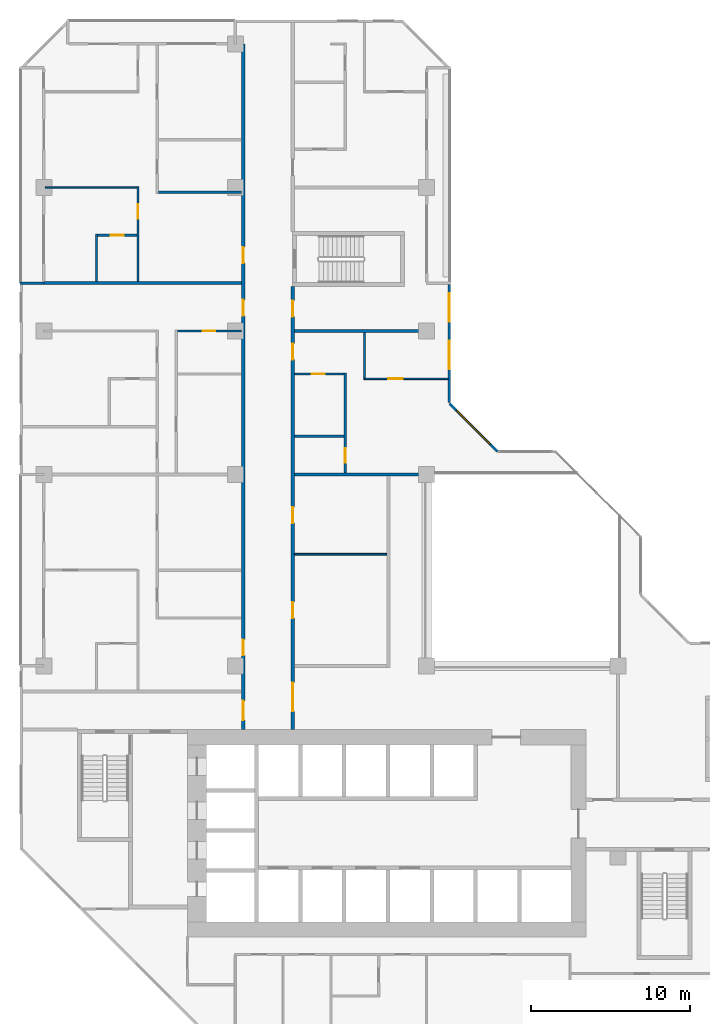
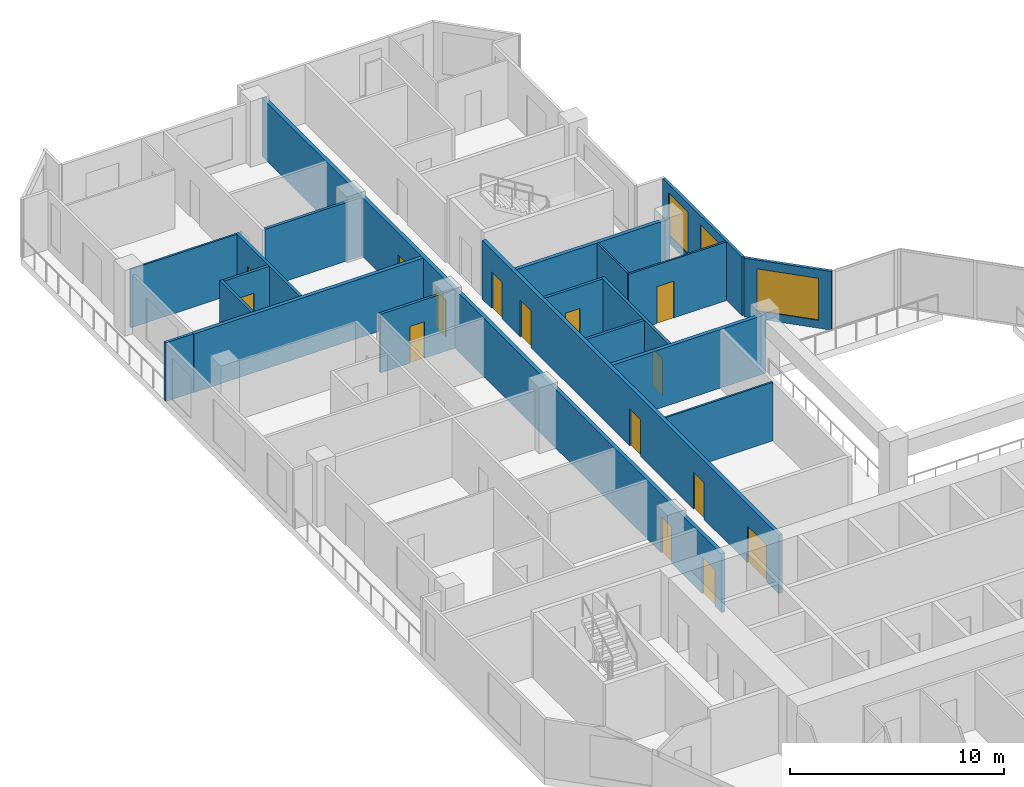
# One storey, part 9 of 14: 20 walls, 15 doors, 3 windows, 18 openings.
"""IFC4 building model written with IfcOpenShell, lengths in metres."""

from ifc_helpers import new_model, si_unit, direction, frame, frame_2d, origin, place, context, subcontext, project, spatial, rectangle, extrude, material, layer, layer_set, type_object, element, fill, save


model = new_model("IFC4")

# Units and contexts
model_context = context("Model", 3, precision=1e-05, world=origin(), true_north=direction((0.0, 1.0)))
body_context = subcontext(model_context, "Body", "Model", "MODEL_VIEW")
ifc_project = project(units=[si_unit("LENGTHUNIT", "METRE"), si_unit("AREAUNIT", "SQUARE_METRE"), si_unit("VOLUMEUNIT", "CUBIC_METRE"), si_unit("PLANEANGLEUNIT", "RADIAN"), si_unit("MASSUNIT", "GRAM", prefix="KILO")], contexts=[model_context])

# Site, building, storey
site_placement = place(None, origin())
site = spatial("IfcSite", under=ifc_project, at=site_placement, CompositionType="ELEMENT")
building_placement = place(site_placement, origin())
building = spatial("IfcBuilding", under=site, at=building_placement, Name="Chenar Terraces", CompositionType="ELEMENT")
storey_placement = place(building_placement, frame((0.0, 0.0, 110.64990234375)))
storey = spatial("IfcBuildingStorey", under=building, at=storey_placement, Name="L25", CompositionType="ELEMENT", Elevation=110.64990234375)

# Wall, openings, doors
ifc_material_1 = material(Name="Gypsum board on steel studs with fire boards", Category="steel")
ifc_layer_1 = layer(ifc_material_1, 0.199951171875)
ifc_layer_set_1 = layer_set([ifc_layer_1], Name="Gypsum board on steel studs with fire boards")
wall_type_1 = type_object("IfcWallType", Name="Corridor wall 200", PredefinedType="PARTITIONING", material=ifc_layer_set_1)
wall_1_placement = place(storey_placement, frame((12.5, 20.0, 0.0), z_axis=(0.0, 0.0, 1.0), x_axis=(0.0, 1.0, 0.0)))
wall_1 = element("IfcWall", 1, at=wall_1_placement, inside=storey, type_object=wall_type_1, Name="Partition L25-034", PredefinedType="PARTITIONING", context=body_context, shape_type="SweptSolid", body=[
    extrude(rectangle(XDim=43.0, YDim=0.199951171875, at=frame_2d((21.5, 0.0))), origin(), (0.0, 0.0, 1.0), 3.35009765625),
])
opening_1_placement = place(wall_1_placement, frame((25.949951171875, 0.0, 0.0)))
opening_1 = element("IfcOpeningElement", 2, at=opening_1_placement, cuts=wall_1, Name="Opening DL25-39", PredefinedType="OPENING", context=body_context, shape_type="SweptSolid", body=[
    extrude(rectangle(XDim=1.0, YDim=2.10009765625, at=frame_2d((0.5, 1.050048828125))), frame((0.0, 0.10986328125, 0.0), z_axis=(0.0, -1.0, 0.0), x_axis=(1.0, 0.0, 0.0)), (0.0, 0.0, 1.0), 0.219970703125),
])
opening_2_placement = place(wall_1_placement, frame((29.25, 0.0, 0.0)))
opening_2 = element("IfcOpeningElement", 3, at=opening_2_placement, cuts=wall_1, Name="Opening DL25-45", PredefinedType="OPENING", context=body_context, shape_type="SweptSolid", body=[
    extrude(rectangle(XDim=1.0, YDim=2.10009765625, at=frame_2d((0.5, 1.050048828125))), frame((0.0, 0.10986328125, 0.0), z_axis=(0.0, -1.0, 0.0), x_axis=(1.0, 0.0, 0.0)), (0.0, 0.0, 1.0), 0.219970703125),
])
opening_3_placement = place(wall_1_placement, frame((0.60009765625, 0.0, 0.0)))
opening_3 = element("IfcOpeningElement", 4, at=opening_3_placement, cuts=wall_1, Name="Opening DL25-48", PredefinedType="OPENING", context=body_context, shape_type="SweptSolid", body=[
    extrude(rectangle(XDim=1.199951171875, YDim=2.10009765625, at=frame_2d((0.60009765625, 1.050048828125))), frame((0.0, 0.10986328125, 0.0), z_axis=(0.0, -1.0, 0.0), x_axis=(1.0, 0.0, 0.0)), (0.0, 0.0, 1.0), 0.219970703125),
])
opening_4_placement = place(wall_1_placement, frame((4.64990234375, 0.0, 0.0)))
opening_4 = element("IfcOpeningElement", 5, at=opening_4_placement, cuts=wall_1, Name="Opening DL25-68", PredefinedType="OPENING", context=body_context, shape_type="SweptSolid", body=[
    extrude(rectangle(XDim=1.0, YDim=2.10009765625, at=frame_2d((0.5, 1.050048828125))), frame((0.0, 0.10986328125, 0.0), z_axis=(0.0, -1.0, 0.0), x_axis=(1.0, 0.0, 0.0)), (0.0, 0.0, 1.0), 0.219970703125),
])
ifc_material_2 = material(Name="Steel-framed fire-resisting door leaf", Category="steel")
door_type_1 = type_object("IfcDoorType", Name="Fire door FD30S 1000 x 2100", OperationType="SINGLE_SWING_LEFT", PredefinedType="DOOR", material=ifc_material_2)
door_1_placement = place(opening_1_placement, origin())
door_1 = element("IfcDoor", 6, at=door_1_placement, inside=storey, type_object=door_type_1, Name="Door DL25-39", OperationType="SINGLE_SWING_LEFT", OverallHeight=2.10009765625, OverallWidth=1.0, PredefinedType="DOOR", context=body_context, shape_type="SweptSolid", body=[
    extrude(rectangle(XDim=1.0, YDim=2.10009765625, at=frame_2d((0.5, 1.050048828125))), frame((0.0, 0.02490234375, 0.0), z_axis=(0.0, -1.0, 0.0), x_axis=(1.0, 0.0, 0.0)), (0.0, 0.0, 1.0), 0.050048828125),
])
fill(opening_1, door_1)
door_2_placement = place(opening_2_placement, origin())
door_2 = element("IfcDoor", 7, at=door_2_placement, inside=storey, type_object=door_type_1, Name="Door DL25-45", OperationType="SINGLE_SWING_LEFT", OverallHeight=2.10009765625, OverallWidth=1.0, PredefinedType="DOOR", context=body_context, shape_type="SweptSolid", body=[
    extrude(rectangle(XDim=1.0, YDim=2.10009765625, at=frame_2d((0.5, 1.050048828125))), frame((0.0, 0.02490234375, 0.0), z_axis=(0.0, -1.0, 0.0), x_axis=(1.0, 0.0, 0.0)), (0.0, 0.0, 1.0), 0.050048828125),
])
fill(opening_2, door_2)
door_3_placement = place(opening_4_placement, origin())
door_3 = element("IfcDoor", 8, at=door_3_placement, inside=storey, type_object=door_type_1, Name="Door DL25-68", OperationType="SINGLE_SWING_LEFT", OverallHeight=2.10009765625, OverallWidth=1.0, PredefinedType="DOOR", context=body_context, shape_type="SweptSolid", body=[
    extrude(rectangle(XDim=1.0, YDim=2.10009765625, at=frame_2d((0.5, 1.050048828125))), frame((0.0, 0.02490234375, 0.0), z_axis=(0.0, -1.0, 0.0), x_axis=(1.0, 0.0, 0.0)), (0.0, 0.0, 1.0), 0.050048828125),
])
fill(opening_4, door_3)
ifc_material_3 = material(Name="Steel-framed fire-resisting door leaf", Category="steel")
door_type_2 = type_object("IfcDoorType", Name="Fire door FD30S 1200 x 2100", OperationType="SINGLE_SWING_LEFT", PredefinedType="DOOR", material=ifc_material_3)
door_4_placement = place(opening_3_placement, origin())
door_4 = element("IfcDoor", 9, at=door_4_placement, inside=storey, type_object=door_type_2, Name="Door DL25-48", OperationType="SINGLE_SWING_RIGHT", OverallHeight=2.10009765625, OverallWidth=1.199951171875, PredefinedType="DOOR", context=body_context, shape_type="SweptSolid", body=[
    extrude(rectangle(XDim=1.199951171875, YDim=2.10009765625, at=frame_2d((0.60009765625, 1.050048828125))), frame((0.0, 0.02490234375, 0.0), z_axis=(0.0, -1.0, 0.0), x_axis=(1.0, 0.0, 0.0)), (0.0, 0.0, 1.0), 0.050048828125),
])
fill(opening_3, door_4)

wall_2_placement = place(storey_placement, frame((15.60009765625, 20.0, 0.0), z_axis=(0.0, 0.0, 1.0), x_axis=(0.0, 1.0, 0.0)))
wall_2 = element("IfcWall", 10, at=wall_2_placement, inside=storey, type_object=wall_type_1, Name="Partition L25-036", PredefinedType="PARTITIONING", context=body_context, shape_type="SweptSolid", body=[
    extrude(rectangle(XDim=27.77490234375, YDim=0.199951171875, at=frame_2d((13.887451171875, 0.0))), origin(), (0.0, 0.0, 1.0), 3.35009765625),
])
opening_5_placement = place(wall_2_placement, frame((7.0, 0.0, 0.0)))
opening_5 = element("IfcOpeningElement", 11, at=opening_5_placement, cuts=wall_2, Name="Opening DL25-1", PredefinedType="OPENING", context=body_context, shape_type="SweptSolid", body=[
    extrude(rectangle(XDim=1.0, YDim=2.10009765625, at=frame_2d((0.5, 1.050048828125))), frame((0.0, 0.10986328125, 0.0), z_axis=(0.0, -1.0, 0.0), x_axis=(1.0, 0.0, 0.0)), (0.0, 0.0, 1.0), 0.219970703125),
])
opening_6_placement = place(wall_2_placement, frame((12.949951171875, 0.0, 0.0)))
opening_6 = element("IfcOpeningElement", 12, at=opening_6_placement, cuts=wall_2, Name="Opening DL25-2", PredefinedType="OPENING", context=body_context, shape_type="SweptSolid", body=[
    extrude(rectangle(XDim=1.0, YDim=2.10009765625, at=frame_2d((0.5, 1.050048828125))), frame((0.0, 0.10986328125, 0.0), z_axis=(0.0, -1.0, 0.0), x_axis=(1.0, 0.0, 0.0)), (0.0, 0.0, 1.0), 0.219970703125),
])
opening_7_placement = place(wall_2_placement, frame((23.199951171875, 0.0, 0.0)))
opening_7 = element("IfcOpeningElement", 13, at=opening_7_placement, cuts=wall_2, Name="Opening DL25-29", PredefinedType="OPENING", context=body_context, shape_type="SweptSolid", body=[
    extrude(rectangle(XDim=1.0, YDim=2.10009765625, at=frame_2d((0.5, 1.050048828125))), frame((0.0, 0.10986328125, 0.0), z_axis=(0.0, -1.0, 0.0), x_axis=(1.0, 0.0, 0.0)), (0.0, 0.0, 1.0), 0.219970703125),
])
opening_8_placement = place(wall_2_placement, frame((1.14990234375, 0.0, 0.0)))
opening_8 = element("IfcOpeningElement", 14, at=opening_8_placement, cuts=wall_2, Name="Opening DL25-47", PredefinedType="OPENING", context=body_context, shape_type="SweptSolid", body=[
    extrude(rectangle(XDim=1.800048828125, YDim=2.10009765625, at=frame_2d((0.89990234375, 1.050048828125))), frame((0.0, 0.10986328125, 0.0), z_axis=(0.0, -1.0, 0.0), x_axis=(1.0, 0.0, 0.0)), (0.0, 0.0, 1.0), 0.219970703125),
])
opening_9_placement = place(wall_2_placement, frame((25.89990234375, 0.0, 0.0)))
opening_9 = element("IfcOpeningElement", 15, at=opening_9_placement, cuts=wall_2, Name="Opening DL25-50", PredefinedType="OPENING", context=body_context, shape_type="SweptSolid", body=[
    extrude(rectangle(XDim=1.0, YDim=2.10009765625, at=frame_2d((0.5, 1.050048828125))), frame((0.0, 0.10986328125, 0.0), z_axis=(0.0, -1.0, 0.0), x_axis=(1.0, 0.0, 0.0)), (0.0, 0.0, 1.0), 0.219970703125),
])
ifc_material_4 = material(Name="Steel-framed fire-resisting door leaf", Category="steel")
door_type_3 = type_object("IfcDoorType", Name="Fire door FD60 1000 x 2100", OperationType="SINGLE_SWING_LEFT", PredefinedType="DOOR", material=ifc_material_4)
door_5_placement = place(opening_5_placement, frame((1.0, 0.0, 0.0), z_axis=(0.0, 0.0, 1.0), x_axis=(-1.0, 0.0, 0.0)))
door_5 = element("IfcDoor", 16, at=door_5_placement, inside=storey, type_object=door_type_3, Name="Door DL25-1", OperationType="SINGLE_SWING_LEFT", OverallHeight=2.10009765625, OverallWidth=1.0, PredefinedType="DOOR", context=body_context, shape_type="SweptSolid", body=[
    extrude(rectangle(XDim=1.0, YDim=2.10009765625, at=frame_2d((0.5, 1.050048828125))), frame((0.0, 0.02490234375, 0.0), z_axis=(0.0, -1.0, 0.0), x_axis=(1.0, 0.0, 0.0)), (0.0, 0.0, 1.0), 0.050048828125),
])
fill(opening_5, door_5)
door_6_placement = place(opening_6_placement, frame((1.0, 0.0, 0.0), z_axis=(0.0, 0.0, 1.0), x_axis=(-1.0, 0.0, 0.0)))
door_6 = element("IfcDoor", 17, at=door_6_placement, inside=storey, type_object=door_type_3, Name="Door DL25-2", OperationType="SINGLE_SWING_LEFT", OverallHeight=2.10009765625, OverallWidth=1.0, PredefinedType="DOOR", context=body_context, shape_type="SweptSolid", body=[
    extrude(rectangle(XDim=1.0, YDim=2.10009765625, at=frame_2d((0.5, 1.050048828125))), frame((0.0, 0.02490234375, 0.0), z_axis=(0.0, -1.0, 0.0), x_axis=(1.0, 0.0, 0.0)), (0.0, 0.0, 1.0), 0.050048828125),
])
fill(opening_6, door_6)
door_7_placement = place(opening_7_placement, frame((1.0, 0.0, 0.0), z_axis=(0.0, 0.0, 1.0), x_axis=(-1.0, 0.0, 0.0)))
door_7 = element("IfcDoor", 18, at=door_7_placement, inside=storey, type_object=door_type_3, Name="Door DL25-29", OperationType="SINGLE_SWING_LEFT", OverallHeight=2.10009765625, OverallWidth=1.0, PredefinedType="DOOR", context=body_context, shape_type="SweptSolid", body=[
    extrude(rectangle(XDim=1.0, YDim=2.10009765625, at=frame_2d((0.5, 1.050048828125))), frame((0.0, 0.02490234375, 0.0), z_axis=(0.0, -1.0, 0.0), x_axis=(1.0, 0.0, 0.0)), (0.0, 0.0, 1.0), 0.050048828125),
])
fill(opening_7, door_7)
door_8_placement = place(opening_9_placement, frame((1.0, 0.0, 0.0), z_axis=(0.0, 0.0, 1.0), x_axis=(-1.0, 0.0, 0.0)))
door_8 = element("IfcDoor", 19, at=door_8_placement, inside=storey, type_object=door_type_3, Name="Door DL25-50", OperationType="SINGLE_SWING_RIGHT", OverallHeight=2.10009765625, OverallWidth=1.0, PredefinedType="DOOR", context=body_context, shape_type="SweptSolid", body=[
    extrude(rectangle(XDim=1.0, YDim=2.10009765625, at=frame_2d((0.5, 1.050048828125))), frame((0.0, 0.02490234375, 0.0), z_axis=(0.0, -1.0, 0.0), x_axis=(1.0, 0.0, 0.0)), (0.0, 0.0, 1.0), 0.050048828125),
])
fill(opening_9, door_8)
ifc_material_5 = material(Name="Steel-framed fire-resisting door leaf", Category="steel")
door_type_4 = type_object("IfcDoorType", Name="Fire double door FD60 1800 x 2100", OperationType="DOUBLE_DOOR_SINGLE_SWING", PredefinedType="DOOR", material=ifc_material_5)
door_9_placement = place(opening_8_placement, frame((1.800048828125, 0.0, 0.0), z_axis=(0.0, 0.0, 1.0), x_axis=(-1.0, 0.0, 0.0)))
door_9 = element("IfcDoor", 20, at=door_9_placement, inside=storey, type_object=door_type_4, Name="Door DL25-47", OperationType="DOUBLE_DOOR_SINGLE_SWING", OverallHeight=2.10009765625, OverallWidth=1.800048828125, PredefinedType="DOOR", context=body_context, shape_type="SweptSolid", body=[
    extrude(rectangle(XDim=1.800048828125, YDim=2.10009765625, at=frame_2d((0.89990234375, 1.050048828125))), frame((0.0, 0.02490234375, 0.0), z_axis=(0.0, -1.0, 0.0), x_axis=(1.0, 0.0, 0.0)), (0.0, 0.0, 1.0), 0.050048828125),
])
fill(opening_8, door_9)

# Wall, openings, windows
ifc_material_6 = material(Name="Aluminium framed glazing", Category="aluminium")
ifc_layer_2 = layer(ifc_material_6, 0.14990234375)
ifc_layer_set_2 = layer_set([ifc_layer_2], Name="Aluminium framed glazing")
wall_type_2 = type_object("IfcWallType", Name="Glazed flush facade wall 150", PredefinedType="SOLIDWALL", material=ifc_layer_set_2)
wall_3_placement = place(storey_placement, frame((25.425048828125, 40.5, 0.0), z_axis=(0.0, 0.0, 1.0), x_axis=(0.0, 1.0, 0.0)))
wall_3 = element("IfcWall", 21, at=wall_3_placement, inside=storey, type_object=wall_type_2, Name="Glazed flush facade wall", PredefinedType="SOLIDWALL", context=body_context, shape_type="SweptSolid", body=[
    extrude(rectangle(XDim=7.425048828125, YDim=0.14990234375, at=frame_2d((3.71240234375, 0.0))), origin(), (0.0, 0.0, 1.0), 3.35009765625),
])
opening_10_placement = place(wall_3_placement, frame((2.10009765625, 0.0, 0.449951171875)))
opening_10 = element("IfcOpeningElement", 22, at=opening_10_placement, cuts=wall_3, Name="Opening W180x240", PredefinedType="OPENING", context=body_context, shape_type="SweptSolid", body=[
    extrude(rectangle(XDim=1.800048828125, YDim=2.39990234375, at=frame_2d((0.89990234375, 1.199951171875))), frame((0.0, 0.0849609375, 0.0), z_axis=(0.0, -1.0, 0.0), x_axis=(1.0, 0.0, 0.0)), (0.0, 0.0, 1.0), 0.169921875),
])
opening_11_placement = place(wall_3_placement, frame((5.0625, 0.0, 0.449951171875)))
opening_11 = element("IfcOpeningElement", 23, at=opening_11_placement, cuts=wall_3, Name="Opening W180x240", PredefinedType="OPENING", context=body_context, shape_type="SweptSolid", body=[
    extrude(rectangle(XDim=1.800048828125, YDim=2.39990234375, at=frame_2d((0.89990234375, 1.199951171875))), frame((0.0, 0.0849609375, 0.0), z_axis=(0.0, -1.0, 0.0), x_axis=(1.0, 0.0, 0.0)), (0.0, 0.0, 1.0), 0.169921875),
])
ifc_material_7 = material(Name="Low emissivity double glazing, aluminium frame", Category="aluminium")
window_type_1 = type_object("IfcWindowType", Name="Fixed light 1800 x 2400", PartitioningType="SINGLE_PANEL", PredefinedType="WINDOW", material=ifc_material_7)
window_1_placement = place(opening_10_placement, origin())
window_1 = element("IfcWindow", 24, at=window_1_placement, inside=storey, type_object=window_type_1, Name="Window", OverallHeight=2.39990234375, OverallWidth=1.800048828125, PartitioningType="SINGLE_PANEL", PredefinedType="WINDOW", context=body_context, shape_type="SweptSolid", body=[
    extrude(rectangle(XDim=1.800048828125, YDim=2.39990234375, at=frame_2d((0.89990234375, 1.199951171875))), frame((0.0, 0.030029296875, 0.0), z_axis=(0.0, -1.0, 0.0), x_axis=(1.0, 0.0, 0.0)), (0.0, 0.0, 1.0), 0.06005859375),
])
fill(opening_10, window_1)
window_2_placement = place(opening_11_placement, origin())
window_2 = element("IfcWindow", 25, at=window_2_placement, inside=storey, type_object=window_type_1, Name="Window", OverallHeight=2.39990234375, OverallWidth=1.800048828125, PartitioningType="SINGLE_PANEL", PredefinedType="WINDOW", context=body_context, shape_type="SweptSolid", body=[
    extrude(rectangle(XDim=1.800048828125, YDim=2.39990234375, at=frame_2d((0.89990234375, 1.199951171875))), frame((0.0, 0.030029296875, 0.0), z_axis=(0.0, -1.0, 0.0), x_axis=(1.0, 0.0, 0.0)), (0.0, 0.0, 1.0), 0.06005859375),
])
fill(opening_11, window_2)

# Walls
ifc_material_8 = material(Name="Gypsum board on steel studs", Category="steel")
ifc_layer_3 = layer(ifc_material_8, 0.10009765625)
ifc_layer_set_3 = layer_set([ifc_layer_3], Name="Gypsum board on steel studs")
wall_type_3 = type_object("IfcWallType", Name="Gypsum partition 100", PredefinedType="PARTITIONING", material=ifc_layer_set_3)
wall_4_placement = place(storey_placement, frame((0.073974609375, 54.0, 0.0), z_axis=(0.0, 0.0, 1.0), x_axis=(1.0, 0.0, 0.0)))
element("IfcWall", 26, at=wall_4_placement, inside=storey, type_object=wall_type_3, Name="Partition L25-008", PredefinedType="PARTITIONING", context=body_context, shape_type="SweptSolid", body=[
    extrude(rectangle(XDim=5.7509765625, YDim=0.10009765625, at=frame_2d((2.87548828125, 0.0))), origin(), (0.0, 0.0, 1.0), 3.35009765625),
])
wall_5_placement = place(storey_placement, frame((15.699951171875, 31.0, 0.0), z_axis=(0.0, 0.0, 1.0), x_axis=(1.0, 0.0, 0.0)))
element("IfcWall", 27, at=wall_5_placement, inside=storey, type_object=wall_type_3, Name="Partition L25-039", PredefinedType="PARTITIONING", context=body_context, shape_type="SweptSolid", body=[
    extrude(rectangle(XDim=5.800048828125, YDim=0.10009765625, at=frame_2d((2.89990234375, 0.0))), origin(), (0.0, 0.0, 1.0), 3.35009765625),
])

# Wall, opening, door
wall_6_placement = place(storey_placement, frame((20.050048828125, 42.0, 0.0), z_axis=(0.0, 0.0, 1.0), x_axis=(1.0, 0.0, 0.0)))
wall_6 = element("IfcWall", 28, at=wall_6_placement, inside=storey, type_object=wall_type_3, Name="Partition L25-052", PredefinedType="PARTITIONING", context=body_context, shape_type="SweptSolid", body=[
    extrude(rectangle(XDim=5.300048828125, YDim=0.10009765625, at=frame_2d((2.64990234375, 0.0))), origin(), (0.0, 0.0, 1.0), 3.35009765625),
])
opening_12_placement = place(wall_6_placement, frame((1.550048828125, 0.0, 0.0)))
opening_12 = element("IfcOpeningElement", 29, at=opening_12_placement, cuts=wall_6, Name="Opening DL25-27", PredefinedType="OPENING", context=body_context, shape_type="SweptSolid", body=[
    extrude(rectangle(XDim=0.89990234375, YDim=2.10009765625, at=frame_2d((0.449951171875, 1.050048828125))), frame((0.0, 0.06005859375, 0.0), z_axis=(0.0, -1.0, 0.0), x_axis=(1.0, 0.0, 0.0)), (0.0, 0.0, 1.0), 0.1201171875),
])
ifc_material_9 = material(Name="Veneered timber door leaf", Category="wood")
door_type_5 = type_object("IfcDoorType", Name="Door 900 x 2100", OperationType="SINGLE_SWING_LEFT", PredefinedType="DOOR", material=ifc_material_9)
door_10_placement = place(opening_12_placement, origin())
door_10 = element("IfcDoor", 30, at=door_10_placement, inside=storey, type_object=door_type_5, Name="Door DL25-27", OperationType="SINGLE_SWING_LEFT", OverallHeight=2.10009765625, OverallWidth=0.89990234375, PredefinedType="DOOR", context=body_context, shape_type="SweptSolid", body=[
    extrude(rectangle(XDim=0.89990234375, YDim=2.10009765625, at=frame_2d((0.449951171875, 1.050048828125))), frame((0.0, 0.02490234375, 0.0), z_axis=(0.0, -1.0, 0.0), x_axis=(1.0, 0.0, 0.0)), (0.0, 0.0, 1.0), 0.050048828125),
])
fill(opening_12, door_10)

# Walls
wall_7_placement = place(storey_placement, frame((20.10009765625, 42.050048828125, 0.0), z_axis=(0.0, 0.0, 1.0), x_axis=(0.0, 1.0, 0.0)))
element("IfcWall", 31, at=wall_7_placement, inside=storey, type_object=wall_type_3, Name="Partition L25-053", PredefinedType="PARTITIONING", context=body_context, shape_type="SweptSolid", body=[
    extrude(rectangle(XDim=2.849853515625, YDim=0.10009765625, at=frame_2d((1.4248046875, 0.0))), origin(), (0.0, 0.0, 1.0), 3.35009765625),
])
ifc_material_10 = material(Name="Terracotta cladding on insulated backing", Category="masonry")
ifc_layer_4 = layer(ifc_material_10, 0.14990234375)
ifc_layer_set_4 = layer_set([ifc_layer_4], Name="Terracotta cladding on insulated backing")
wall_type_4 = type_object("IfcWallType", Name="Loggia return wall 150", PredefinedType="SOLIDWALL", material=ifc_layer_set_4)
wall_8_placement = place(storey_placement, frame((-1.5, 48.0, 0.0), z_axis=(0.0, 0.0, 1.0), x_axis=(1.0, 0.0, 0.0)))
element("IfcWall", 32, at=wall_8_placement, inside=storey, type_object=wall_type_4, Name="Loggia return wall", PredefinedType="SOLIDWALL", context=body_context, shape_type="SweptSolid", body=[
    extrude(rectangle(XDim=1.5, YDim=0.14990234375, at=frame_2d((0.75, 0.0))), origin(), (0.0, 0.0, 1.0), 3.35009765625),
])

# Wall, opening, window
ifc_material_11 = material(Name="Terracotta cladding on insulated backing", Category="masonry")
ifc_layer_5 = layer(ifc_material_11, 0.14990234375)
ifc_layer_set_5 = layer_set([ifc_layer_5], Name="Terracotta cladding on insulated backing")
wall_type_5 = type_object("IfcWallType", Name="Terracotta rainscreen wall 150", PredefinedType="SOLIDWALL", material=ifc_layer_set_5)
wall_9_placement = place(storey_placement, frame((28.447021484375, 37.447021484375, 0.0), z_axis=(0.0, 0.0, 1.0), x_axis=(-0.707106781187, 0.707106781187, 0.0)))
wall_9 = element("IfcWall", 33, at=wall_9_placement, inside=storey, type_object=wall_type_5, Name="Terracotta rainscreen wall", PredefinedType="SOLIDWALL", context=body_context, shape_type="SweptSolid", body=[
    extrude(rectangle(XDim=4.24267578125, YDim=0.14990234375, at=frame_2d((2.121337890625, 0.0))), origin(), (0.0, 0.0, 1.0), 3.35009765625),
])
opening_13_placement = place(wall_9_placement, frame((0.621337890625, 0.0, 0.449951171875)))
opening_13 = element("IfcOpeningElement", 34, at=opening_13_placement, cuts=wall_9, Name="Opening W300x240", PredefinedType="OPENING", context=body_context, shape_type="SweptSolid", body=[
    extrude(rectangle(XDim=3.0, YDim=2.39990234375, at=frame_2d((1.5, 1.199951171875))), frame((0.0, 0.0849609375, 0.0), z_axis=(0.0, -1.0, 0.0), x_axis=(1.0, 0.0, 0.0)), (0.0, 0.0, 1.0), 0.169921875),
])
ifc_material_12 = material(Name="Low emissivity double glazing, aluminium frame", Category="aluminium")
window_type_2 = type_object("IfcWindowType", Name="Fixed light 3000 x 2400", PartitioningType="SINGLE_PANEL", PredefinedType="WINDOW", material=ifc_material_12)
window_3_placement = place(opening_13_placement, origin())
window_3 = element("IfcWindow", 35, at=window_3_placement, inside=storey, type_object=window_type_2, Name="Window", OverallHeight=2.39990234375, OverallWidth=3.0, PartitioningType="SINGLE_PANEL", PredefinedType="WINDOW", context=body_context, shape_type="SweptSolid", body=[
    extrude(rectangle(XDim=3.0, YDim=2.39990234375, at=frame_2d((1.5, 1.199951171875))), frame((0.0, 0.030029296875, 0.0), z_axis=(0.0, -1.0, 0.0), x_axis=(1.0, 0.0, 0.0)), (0.0, 0.0, 1.0), 0.06005859375),
])
fill(opening_13, window_3)

# Walls
ifc_material_13 = material(Name="Twin gypsum board on steel studs with mineral wool", Category="steel")
ifc_layer_6 = layer(ifc_material_13, 0.199951171875)
ifc_layer_set_6 = layer_set([ifc_layer_6], Name="Twin gypsum board on steel studs with mineral wool")
wall_type_6 = type_object("IfcWallType", Name="Unit demising wall 200", PredefinedType="PARTITIONING", material=ifc_layer_set_6)
wall_10_placement = place(storey_placement, frame((0.0, 48.0, 0.0), z_axis=(0.0, 0.0, 1.0), x_axis=(1.0, 0.0, 0.0)))
element("IfcWall", 36, at=wall_10_placement, inside=storey, type_object=wall_type_6, Name="Partition L25-006", PredefinedType="PARTITIONING", context=body_context, shape_type="SweptSolid", body=[
    extrude(rectangle(XDim=12.39990234375, YDim=0.199951171875, at=frame_2d((6.199951171875, 0.0))), origin(), (0.0, 0.0, 1.0), 3.35009765625),
])
for number, where, z_axis, x_axis, name in (
    (37, (15.699951171875, 36.0, 0.0), (0.0, 0.0, 1.0), (1.0, 0.0, 0.0), "Partition L25-040"),
    (38, (15.699951171875, 45.0, 0.0), (0.0, 0.0, 1.0), (1.0, 0.0, 0.0), "Partition L25-043"),
):
    element("IfcWall", number, at=place(storey_placement, frame(where, z_axis=z_axis, x_axis=x_axis)), inside=storey, type_object=wall_type_6, Name=name, PredefinedType="PARTITIONING", context=body_context, shape_type="SweptSolid", body=[
        extrude(rectangle(XDim=8.300048828125, YDim=0.199951171875, at=frame_2d((4.14990234375, 0.0))), origin(), (0.0, 0.0, 1.0), 3.35009765625),
    ])
ifc_material_14 = material(Name="Moisture-resistant gypsum board on steel studs", Category="steel")
ifc_layer_7 = layer(ifc_material_14, 0.14990234375)
ifc_layer_set_7 = layer_set([ifc_layer_7], Name="Moisture-resistant gypsum board on steel studs")
wall_type_7 = type_object("IfcWallType", Name="Wet-room partition 150", PredefinedType="PARTITIONING", material=ifc_layer_set_7)
wall_11_placement = place(storey_placement, frame((3.300048828125, 48.10009765625, 0.0), z_axis=(0.0, 0.0, 1.0), x_axis=(0.0, 1.0, 0.0)))
element("IfcWall", 39, at=wall_11_placement, inside=storey, type_object=wall_type_7, Name="Partition L25-012", PredefinedType="PARTITIONING", context=body_context, shape_type="SweptSolid", body=[
    extrude(rectangle(XDim=2.974853515625, YDim=0.14990234375, at=frame_2d((1.4873046875, 0.0))), origin(), (0.0, 0.0, 1.0), 3.35009765625),
])

# Wall, opening, door
wall_12_placement = place(storey_placement, frame((3.375, 51.0, 0.0), z_axis=(0.0, 0.0, 1.0), x_axis=(1.0, 0.0, 0.0)))
wall_12 = element("IfcWall", 40, at=wall_12_placement, inside=storey, type_object=wall_type_7, Name="Partition L25-014", PredefinedType="PARTITIONING", context=body_context, shape_type="SweptSolid", body=[
    extrude(rectangle(XDim=2.449951171875, YDim=0.14990234375, at=frame_2d((1.22509765625, 0.0))), origin(), (0.0, 0.0, 1.0), 3.35009765625),
])
opening_14_placement = place(wall_12_placement, frame((0.824951171875, 0.0, 0.0)))
opening_14 = element("IfcOpeningElement", 41, at=opening_14_placement, cuts=wall_12, Name="Opening DL25-43", PredefinedType="OPENING", context=body_context, shape_type="SweptSolid", body=[
    extrude(rectangle(XDim=0.800048828125, YDim=2.10009765625, at=frame_2d((0.39990234375, 1.050048828125))), frame((0.0, 0.0849609375, 0.0), z_axis=(0.0, -1.0, 0.0), x_axis=(1.0, 0.0, 0.0)), (0.0, 0.0, 1.0), 0.169921875),
])
ifc_material_15 = material(Name="Veneered timber door leaf", Category="wood")
door_type_6 = type_object("IfcDoorType", Name="Door 800 x 2100", OperationType="SINGLE_SWING_LEFT", PredefinedType="DOOR", material=ifc_material_15)
door_11_placement = place(opening_14_placement, frame((0.800048828125, 0.0, 0.0), z_axis=(0.0, 0.0, 1.0), x_axis=(-1.0, 0.0, 0.0)))
door_11 = element("IfcDoor", 42, at=door_11_placement, inside=storey, type_object=door_type_6, Name="Door DL25-43", OperationType="SINGLE_SWING_LEFT", OverallHeight=2.10009765625, OverallWidth=0.800048828125, PredefinedType="DOOR", context=body_context, shape_type="SweptSolid", body=[
    extrude(rectangle(XDim=0.800048828125, YDim=2.10009765625, at=frame_2d((0.39990234375, 1.050048828125))), frame((0.0, 0.02490234375, 0.0), z_axis=(0.0, -1.0, 0.0), x_axis=(1.0, 0.0, 0.0)), (0.0, 0.0, 1.0), 0.050048828125),
])
fill(opening_14, door_11)

wall_13_placement = place(storey_placement, frame((5.89990234375, 48.10009765625, 0.0), z_axis=(0.0, 0.0, 1.0), x_axis=(0.0, 1.0, 0.0)))
wall_13 = element("IfcWall", 43, at=wall_13_placement, inside=storey, type_object=wall_type_7, Name="Partition L25-018", PredefinedType="PARTITIONING", context=body_context, shape_type="SweptSolid", body=[
    extrude(rectangle(XDim=5.949951171875, YDim=0.14990234375, at=frame_2d((2.97509765625, 0.0))), origin(), (0.0, 0.0, 1.0), 3.35009765625),
])
opening_15_placement = place(wall_13_placement, frame((3.949951171875, 0.0, 0.0)))
opening_15 = element("IfcOpeningElement", 44, at=opening_15_placement, cuts=wall_13, Name="Opening DL25-42", PredefinedType="OPENING", context=body_context, shape_type="SweptSolid", body=[
    extrude(rectangle(XDim=0.89990234375, YDim=2.10009765625, at=frame_2d((0.449951171875, 1.050048828125))), frame((0.0, 0.0849609375, 0.0), z_axis=(0.0, -1.0, 0.0), x_axis=(1.0, 0.0, 0.0)), (0.0, 0.0, 1.0), 0.169921875),
])
door_12_placement = place(opening_15_placement, origin())
door_12 = element("IfcDoor", 45, at=door_12_placement, inside=storey, type_object=door_type_5, Name="Door DL25-42", OperationType="SINGLE_SWING_RIGHT", OverallHeight=2.10009765625, OverallWidth=0.89990234375, PredefinedType="DOOR", context=body_context, shape_type="SweptSolid", body=[
    extrude(rectangle(XDim=0.89990234375, YDim=2.10009765625, at=frame_2d((0.449951171875, 1.050048828125))), frame((0.0, 0.02490234375, 0.0), z_axis=(0.0, -1.0, 0.0), x_axis=(1.0, 0.0, 0.0)), (0.0, 0.0, 1.0), 0.050048828125),
])
fill(opening_15, door_12)

# Wall
wall_14_placement = place(storey_placement, frame((7.175048828125, 53.699951171875, 0.0), z_axis=(0.0, 0.0, 1.0), x_axis=(1.0, 0.0, 0.0)))
element("IfcWall", 46, at=wall_14_placement, inside=storey, type_object=wall_type_7, Name="Partition L25-025", PredefinedType="PARTITIONING", context=body_context, shape_type="SweptSolid", body=[
    extrude(rectangle(XDim=5.224853515625, YDim=0.14990234375, at=frame_2d((2.6123046875, 0.0))), origin(), (0.0, 0.0, 1.0), 3.35009765625),
])

# Wall, opening, door
wall_15_placement = place(storey_placement, frame((8.375, 45.0, 0.0), z_axis=(0.0, 0.0, 1.0), x_axis=(1.0, 0.0, 0.0)))
wall_15 = element("IfcWall", 47, at=wall_15_placement, inside=storey, type_object=wall_type_7, Name="Partition L25-029", PredefinedType="PARTITIONING", context=body_context, shape_type="SweptSolid", body=[
    extrude(rectangle(XDim=4.02490234375, YDim=0.14990234375, at=frame_2d((2.012451171875, 0.0))), origin(), (0.0, 0.0, 1.0), 3.35009765625),
])
opening_16_placement = place(wall_15_placement, frame((1.574951171875, 0.0, 0.0)))
opening_16 = element("IfcOpeningElement", 48, at=opening_16_placement, cuts=wall_15, Name="Opening DL25-34", PredefinedType="OPENING", context=body_context, shape_type="SweptSolid", body=[
    extrude(rectangle(XDim=0.800048828125, YDim=2.10009765625, at=frame_2d((0.39990234375, 1.050048828125))), frame((0.0, 0.0849609375, 0.0), z_axis=(0.0, -1.0, 0.0), x_axis=(1.0, 0.0, 0.0)), (0.0, 0.0, 1.0), 0.169921875),
])
door_13_placement = place(opening_16_placement, frame((0.800048828125, 0.0, 0.0), z_axis=(0.0, 0.0, 1.0), x_axis=(-1.0, 0.0, 0.0)))
door_13 = element("IfcDoor", 49, at=door_13_placement, inside=storey, type_object=door_type_6, Name="Door DL25-34", OperationType="SINGLE_SWING_LEFT", OverallHeight=2.10009765625, OverallWidth=0.800048828125, PredefinedType="DOOR", context=body_context, shape_type="SweptSolid", body=[
    extrude(rectangle(XDim=0.800048828125, YDim=2.10009765625, at=frame_2d((0.39990234375, 1.050048828125))), frame((0.0, 0.02490234375, 0.0), z_axis=(0.0, -1.0, 0.0), x_axis=(1.0, 0.0, 0.0)), (0.0, 0.0, 1.0), 0.050048828125),
])
fill(opening_16, door_13)

# Wall
wall_16_placement = place(storey_placement, frame((15.699951171875, 38.39990234375, 0.0), z_axis=(0.0, 0.0, 1.0), x_axis=(1.0, 0.0, 0.0)))
element("IfcWall", 50, at=wall_16_placement, inside=storey, type_object=wall_type_7, Name="Partition L25-041", PredefinedType="PARTITIONING", context=body_context, shape_type="SweptSolid", body=[
    extrude(rectangle(XDim=3.125, YDim=0.14990234375, at=frame_2d((1.5625, 0.0))), origin(), (0.0, 0.0, 1.0), 3.35009765625),
])

# Wall, opening, door
wall_17_placement = place(storey_placement, frame((15.699951171875, 42.300048828125, 0.0), z_axis=(0.0, 0.0, 1.0), x_axis=(1.0, 0.0, 0.0)))
wall_17 = element("IfcWall", 51, at=wall_17_placement, inside=storey, type_object=wall_type_7, Name="Partition L25-042", PredefinedType="PARTITIONING", context=body_context, shape_type="SweptSolid", body=[
    extrude(rectangle(XDim=3.125, YDim=0.14990234375, at=frame_2d((1.5625, 0.0))), origin(), (0.0, 0.0, 1.0), 3.35009765625),
])
opening_17_placement = place(wall_17_placement, frame((1.10009765625, 0.0, 0.0)))
opening_17 = element("IfcOpeningElement", 52, at=opening_17_placement, cuts=wall_17, Name="Opening DL25-26", PredefinedType="OPENING", context=body_context, shape_type="SweptSolid", body=[
    extrude(rectangle(XDim=0.800048828125, YDim=2.10009765625, at=frame_2d((0.39990234375, 1.050048828125))), frame((0.0, 0.0849609375, 0.0), z_axis=(0.0, -1.0, 0.0), x_axis=(1.0, 0.0, 0.0)), (0.0, 0.0, 1.0), 0.169921875),
])
door_14_placement = place(opening_17_placement, frame((0.800048828125, 0.0, 0.0), z_axis=(0.0, 0.0, 1.0), x_axis=(-1.0, 0.0, 0.0)))
door_14 = element("IfcDoor", 53, at=door_14_placement, inside=storey, type_object=door_type_6, Name="Door DL25-26", OperationType="SINGLE_SWING_RIGHT", OverallHeight=2.10009765625, OverallWidth=0.800048828125, PredefinedType="DOOR", context=body_context, shape_type="SweptSolid", body=[
    extrude(rectangle(XDim=0.800048828125, YDim=2.10009765625, at=frame_2d((0.39990234375, 1.050048828125))), frame((0.0, 0.02490234375, 0.0), z_axis=(0.0, -1.0, 0.0), x_axis=(1.0, 0.0, 0.0)), (0.0, 0.0, 1.0), 0.050048828125),
])
fill(opening_17, door_14)

wall_18_placement = place(storey_placement, frame((18.89990234375, 36.10009765625, 0.0), z_axis=(0.0, 0.0, 1.0), x_axis=(0.0, 1.0, 0.0)))
wall_18 = element("IfcWall", 54, at=wall_18_placement, inside=storey, type_object=wall_type_7, Name="Partition L25-050", PredefinedType="PARTITIONING", context=body_context, shape_type="SweptSolid", body=[
    extrude(rectangle(XDim=6.27490234375, YDim=0.14990234375, at=frame_2d((3.137451171875, 0.0))), origin(), (0.0, 0.0, 1.0), 3.35009765625),
])
opening_18_placement = place(wall_18_placement, frame((0.64990234375, 0.0, 0.0)))
opening_18 = element("IfcOpeningElement", 55, at=opening_18_placement, cuts=wall_18, Name="Opening DL25-28", PredefinedType="OPENING", context=body_context, shape_type="SweptSolid", body=[
    extrude(rectangle(XDim=0.89990234375, YDim=2.10009765625, at=frame_2d((0.449951171875, 1.050048828125))), frame((0.0, 0.0849609375, 0.0), z_axis=(0.0, -1.0, 0.0), x_axis=(1.0, 0.0, 0.0)), (0.0, 0.0, 1.0), 0.169921875),
])
door_15_placement = place(opening_18_placement, origin())
door_15 = element("IfcDoor", 56, at=door_15_placement, inside=storey, type_object=door_type_5, Name="Door DL25-28", OperationType="SINGLE_SWING_RIGHT", OverallHeight=2.10009765625, OverallWidth=0.89990234375, PredefinedType="DOOR", context=body_context, shape_type="SweptSolid", body=[
    extrude(rectangle(XDim=0.89990234375, YDim=2.10009765625, at=frame_2d((0.449951171875, 1.050048828125))), frame((0.0, 0.02490234375, 0.0), z_axis=(0.0, -1.0, 0.0), x_axis=(1.0, 0.0, 0.0)), (0.0, 0.0, 1.0), 0.050048828125),
])
fill(opening_18, door_15)

save(model, "model.ifc")
